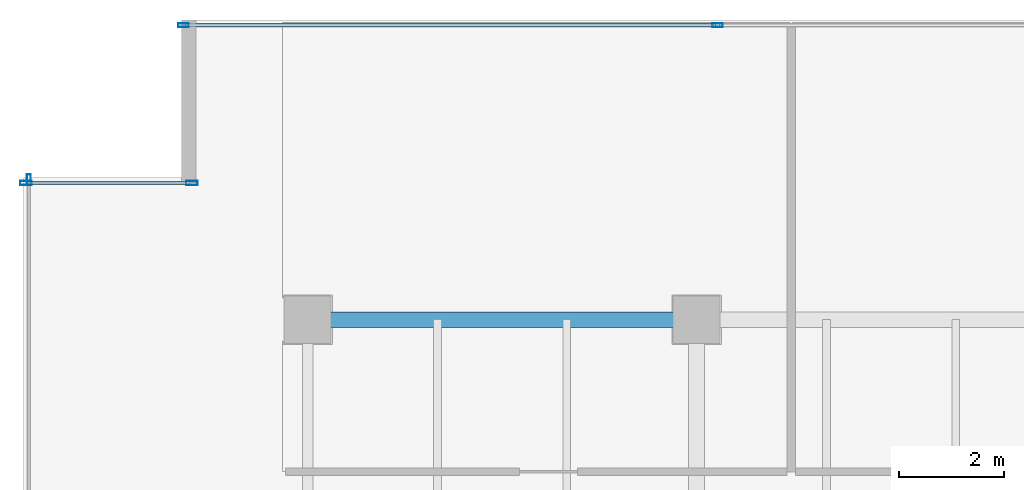
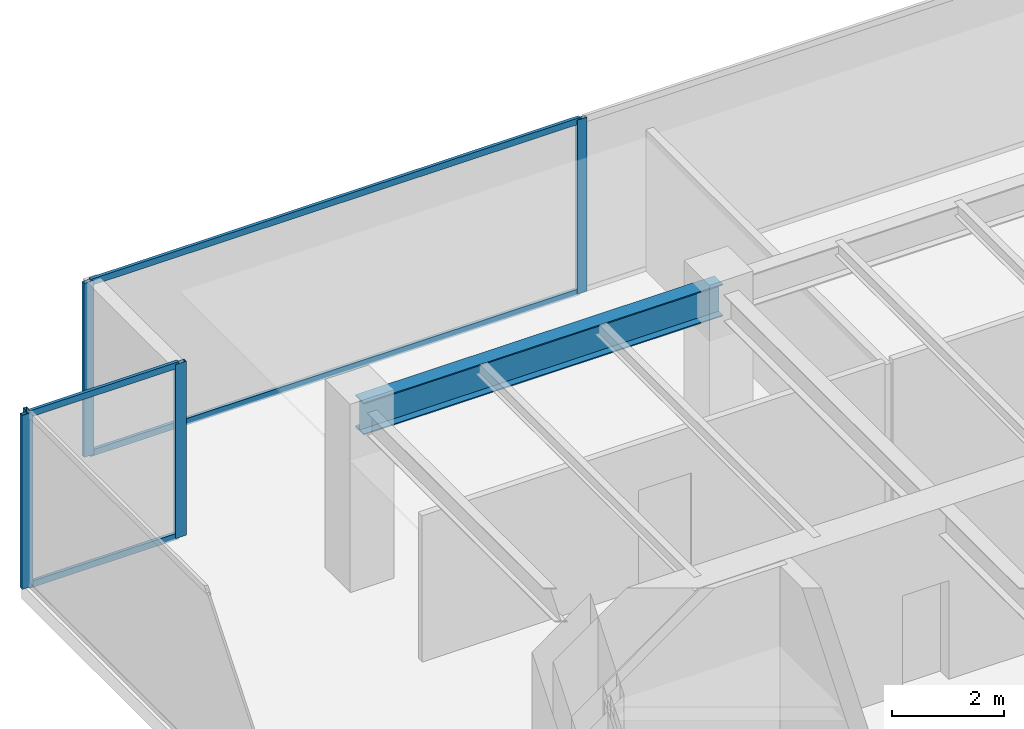
# One storey, part 14 of 34: 9 members, 1 beam, 3 elements without a shape of their own.
"""IFC4 building model written with IfcOpenShell, lengths in metres."""

from ifc_helpers import new_model, si_unit, direction, frame, origin, origin_2d, place, context, subcontext, project, spatial, hollow_rectangle, i_section, extrude, source, transform, mapped, material, layer, layer_set, material_profile, profile_set, type_object, type_shapes, element, aggregate, save


model = new_model("IFC4")

# Units and contexts
model_context = context("Model", 3, precision=1e-05, world=origin(), true_north=direction((0.0, 1.0)))
body_context = subcontext(model_context, "Body", "Model", "MODEL_VIEW")
ifc_project = project(units=[si_unit("LENGTHUNIT", "METRE"), si_unit("AREAUNIT", "SQUARE_METRE"), si_unit("VOLUMEUNIT", "CUBIC_METRE"), si_unit("PLANEANGLEUNIT", "RADIAN"), si_unit("MASSUNIT", "GRAM", prefix="KILO")], contexts=[model_context])

# Site, building, storey
site_placement = place(None, origin())
site = spatial("IfcSite", under=ifc_project, at=site_placement, CompositionType="ELEMENT")
building_placement = place(site_placement, origin())
building = spatial("IfcBuilding", under=site, at=building_placement, Name="Haelvirn Gate Laboratories", CompositionType="ELEMENT")
storey_placement = place(building_placement, frame((0.0, 0.0, 178.89990234375)))
storey = spatial("IfcBuildingStorey", under=building, at=storey_placement, Name="L43", CompositionType="ELEMENT", Elevation=178.89990234375)

# Beam
ifc_material_1 = material(Name="Steel SM355", Category="steel")
ifc_material_profile_1 = material_profile(ifc_material_1, i_section(OverallWidth=0.300048828125, OverallDepth=0.699951171875, WebThickness=0.012939453125, FlangeThickness=0.02392578125, at=origin_2d()), Name="H-700x300x13x24")
ifc_profile_set_1 = profile_set([ifc_material_profile_1], Name="Steel SM355")
beam_type = type_object("IfcBeamType", Name="BM-G-700", PredefinedType="BEAM", material=ifc_profile_set_1)
shared_shape_1 = source(origin(), body_context, "Body", "SweptSolid", [
    extrude(i_section(OverallWidth=0.300048828125, OverallDepth=0.699951171875, WebThickness=0.012939453125, FlangeThickness=0.02392578125, at=origin_2d()), origin(), (0.0, 0.0, 1.0), 7.400146484375),
])
type_shapes(beam_type, [shared_shape_1])
beam_placement = place(storey_placement, frame((7.39990234375, 41.60009765625, 3.440185546875), z_axis=(1.0, 0.0, 0.0), x_axis=(0.0, 1.0, 0.0)))
element("IfcBeam", 1, at=beam_placement, inside=storey, type_object=beam_type, Name="L43 Primary Girder Y41.6 (7.4-14.8)", PredefinedType="BEAM", context=body_context, shape_type="MappedRepresentation", body=[
    mapped(shared_shape_1, transform((0.0, 0.0, 0.0), scale=1.0)),
])

# Curtain wall, members
ifc_material_2 = material(Name="Anodised bronze unitised aluminium & triple low-E glass", Category="aluminium")
ifc_layer_1 = layer(ifc_material_2, 0.179931640625, Name="CW-SYS-3")
ifc_layer_set_1 = layer_set([ifc_layer_1], Name="Anodised bronze unitised aluminium & triple low-E glass")
curtain_wall_type_1 = type_object("IfcCurtainWallType", Name="CW-SYS-3", PredefinedType="NOTDEFINED", material=ifc_layer_set_1)
curtain_wall_1_placement = place(storey_placement, origin())
curtain_wall_1 = element("IfcCurtainWall", 2, at=curtain_wall_1_placement, inside=storey, type_object=curtain_wall_type_1, Name="L43 Unitised Curtain Wall CW-L43-P0-E14-1", PredefinedType="NOTDEFINED")
ifc_material_3 = material(Name="Extruded aluminium 6063-T6 (anodised bronze)", Category="aluminium")
ifc_material_profile_2 = material_profile(ifc_material_3, hollow_rectangle(XDim=0.06494140625, YDim=0.139892578125, WallThickness=0.00390625, at=origin_2d()), Name="CWT-140x65x4")
ifc_profile_set_2 = profile_set([ifc_material_profile_2], Name="Extruded aluminium 6063-T6 (anodised bronze)")
member_type_1 = type_object("IfcMemberType", Name="CWT-T140", PredefinedType="USERDEFINED", material=ifc_profile_set_2)
shared_shape_2 = source(origin(), body_context, "Body", "SweptSolid", [
    extrude(hollow_rectangle(XDim=0.06494140625, YDim=0.139892578125, WallThickness=0.00390625, at=origin_2d()), origin(), (0.0, 0.0, 1.0), 10.087646484375),
])
member_1_placement = place(storey_placement, frame((5.074951171875, 47.199951171875, 0.03271484375), z_axis=(1.0, 0.0, 0.0), x_axis=(0.0, 1.0, 0.0)))
member_1 = element("IfcMember", 3, at=member_1_placement, type_object=member_type_1, Name="CW3 transom 1.1", ObjectType="TRANSOM", PredefinedType="USERDEFINED", context=body_context, shape_type="MappedRepresentation", body=[
    mapped(shared_shape_2, transform((0.0, 0.0, 0.0), scale=1.0)),
])
member_2_placement = place(storey_placement, frame((5.074951171875, 47.199951171875, 3.757568359375), z_axis=(1.0, 0.0, 0.0), x_axis=(0.0, 1.0, 0.0)))
member_2 = element("IfcMember", 4, at=member_2_placement, type_object=member_type_1, Name="CW3 transom 1.2", ObjectType="TRANSOM", PredefinedType="USERDEFINED", context=body_context, shape_type="MappedRepresentation", body=[
    mapped(shared_shape_2, transform((0.0, 0.0, 0.0), scale=1.0)),
])

ifc_layer_2 = layer(ifc_material_2, 0.181884765625, Name="CW-SYS-5")
ifc_layer_set_2 = layer_set([ifc_layer_2], Name="Anodised bronze unitised aluminium & triple low-E glass")
curtain_wall_type_2 = type_object("IfcCurtainWallType", Name="CW-SYS-5", PredefinedType="NOTDEFINED", material=ifc_layer_set_2)
curtain_wall_2_placement = place(storey_placement, origin())
curtain_wall_2 = element("IfcCurtainWall", 5, at=curtain_wall_2_placement, inside=storey, type_object=curtain_wall_type_2, Name="L43 Unitised Curtain Wall CW-L43-P0-E16-1", PredefinedType="NOTDEFINED")
shared_shape_3 = source(origin(), body_context, "Body", "SweptSolid", [
    extrude(hollow_rectangle(XDim=0.06494140625, YDim=0.139892578125, WallThickness=0.00390625, at=origin_2d()), origin(), (0.0, 0.0, 1.0), 3.079833984375),
])
type_shapes(member_type_1, [shared_shape_2, shared_shape_3])
member_3_placement = place(storey_placement, frame((2.080078125, 44.199951171875, 0.03271484375), z_axis=(1.0, 0.0, 0.0), x_axis=(0.0, 1.0, 0.0)))
member_3 = element("IfcMember", 6, at=member_3_placement, type_object=member_type_1, Name="CW5 transom 1.1", ObjectType="TRANSOM", PredefinedType="USERDEFINED", context=body_context, shape_type="MappedRepresentation", body=[
    mapped(shared_shape_3, transform((0.0, 0.0, 0.0), scale=1.0)),
])
member_4_placement = place(storey_placement, frame((2.080078125, 44.199951171875, 3.757568359375), z_axis=(1.0, 0.0, 0.0), x_axis=(0.0, 1.0, 0.0)))
member_4 = element("IfcMember", 7, at=member_4_placement, type_object=member_type_1, Name="CW5 transom 1.2", ObjectType="TRANSOM", PredefinedType="USERDEFINED", context=body_context, shape_type="MappedRepresentation", body=[
    mapped(shared_shape_3, transform((0.0, 0.0, 0.0), scale=1.0)),
])

# Member
ifc_material_profile_3 = material_profile(ifc_material_3, hollow_rectangle(XDim=0.074951171875, YDim=0.199951171875, WallThickness=0.0048828125, at=origin_2d()), Name="CWM-200x75x5")
ifc_profile_set_3 = profile_set([ifc_material_profile_3], Name="Extruded aluminium 6063-T6 (anodised bronze)")
member_type_2 = type_object("IfcMemberType", Name="CWM-T200", PredefinedType="MULLION", material=ifc_profile_set_3)
shared_shape_4 = source(origin(), body_context, "Body", "SweptSolid", [
    extrude(hollow_rectangle(XDim=0.074951171875, YDim=0.199951171875, WallThickness=0.0048828125, at=origin_2d()), origin(), (0.0, 0.0, 1.0), 3.7900390625),
])
type_shapes(member_type_2, [shared_shape_4])
member_5_placement = place(storey_placement, frame((5.03759765625, 47.199951171875, 0.0), z_axis=(0.0, 0.0, 1.0), x_axis=(0.0, 1.0, 0.0)))
member_5 = element("IfcMember", 8, at=member_5_placement, type_object=member_type_2, Name="CW3 mullion 1", PredefinedType="MULLION", context=body_context, shape_type="MappedRepresentation", body=[
    mapped(shared_shape_4, transform((0.0, 0.0, 0.0), scale=1.0)),
])

member_6_placement = place(storey_placement, frame((15.199951171875, 47.199951171875, 0.0), z_axis=(0.0, 0.0, 1.0), x_axis=(0.0, 1.0, 0.0)))
member_6 = element("IfcMember", 9, at=member_6_placement, type_object=member_type_2, Name="CW3 mullion 2", PredefinedType="MULLION", context=body_context, shape_type="MappedRepresentation", body=[
    mapped(shared_shape_4, transform((0.0, 0.0, 0.0), scale=1.0)),
])

aggregate(curtain_wall_1, [member_5, member_6, member_1, member_2])

# Curtain wall, member
curtain_wall_3_placement = place(storey_placement, origin())
curtain_wall_3 = element("IfcCurtainWall", 10, at=curtain_wall_3_placement, inside=storey, type_object=curtain_wall_type_1, Name="L43 Unitised Curtain Wall CW-L43-P0-E17", PredefinedType="NOTDEFINED")
member_7_placement = place(storey_placement, frame((2.10009765625, 44.262451171875, 0.0), z_axis=(0.0, 0.0, 1.0), x_axis=(1.0, 0.0, 0.0)))
member_7 = element("IfcMember", 11, at=member_7_placement, type_object=member_type_2, Name="CW3 mullion 1", PredefinedType="MULLION", context=body_context, shape_type="MappedRepresentation", body=[
    mapped(shared_shape_4, transform((0.0, 0.0, 0.0), scale=1.0)),
])
aggregate(curtain_wall_3, [member_7])

# Member
ifc_material_profile_4 = material_profile(ifc_material_3, hollow_rectangle(XDim=0.080078125, YDim=0.219970703125, WallThickness=0.006103515625, at=origin_2d()), Name="CWM-220x80x6")
ifc_profile_set_4 = profile_set([ifc_material_profile_4], Name="Extruded aluminium 6063-T6 (anodised bronze)")
member_type_3 = type_object("IfcMemberType", Name="CWM-T220", PredefinedType="MULLION", material=ifc_profile_set_4)
shared_shape_5 = source(origin(), body_context, "Body", "SweptSolid", [
    extrude(hollow_rectangle(XDim=0.080078125, YDim=0.219970703125, WallThickness=0.006103515625, at=origin_2d()), origin(), (0.0, 0.0, 1.0), 3.7900390625),
])
type_shapes(member_type_3, [shared_shape_5])
member_8_placement = place(storey_placement, frame((2.0400390625, 44.199951171875, 0.0), z_axis=(0.0, 0.0, 1.0), x_axis=(0.0, 1.0, 0.0)))
member_8 = element("IfcMember", 12, at=member_8_placement, type_object=member_type_3, Name="CW5 mullion 1", PredefinedType="MULLION", context=body_context, shape_type="MappedRepresentation", body=[
    mapped(shared_shape_5, transform((0.0, 0.0, 0.0), scale=1.0)),
])

member_9_placement = place(storey_placement, frame((5.199951171875, 44.199951171875, 0.0), z_axis=(0.0, 0.0, 1.0), x_axis=(0.0, 1.0, 0.0)))
member_9 = element("IfcMember", 13, at=member_9_placement, type_object=member_type_3, Name="CW5 mullion 2", PredefinedType="MULLION", context=body_context, shape_type="MappedRepresentation", body=[
    mapped(shared_shape_5, transform((0.0, 0.0, 0.0), scale=1.0)),
])

aggregate(curtain_wall_2, [member_8, member_9, member_3, member_4])

save(model, "model.ifc")
